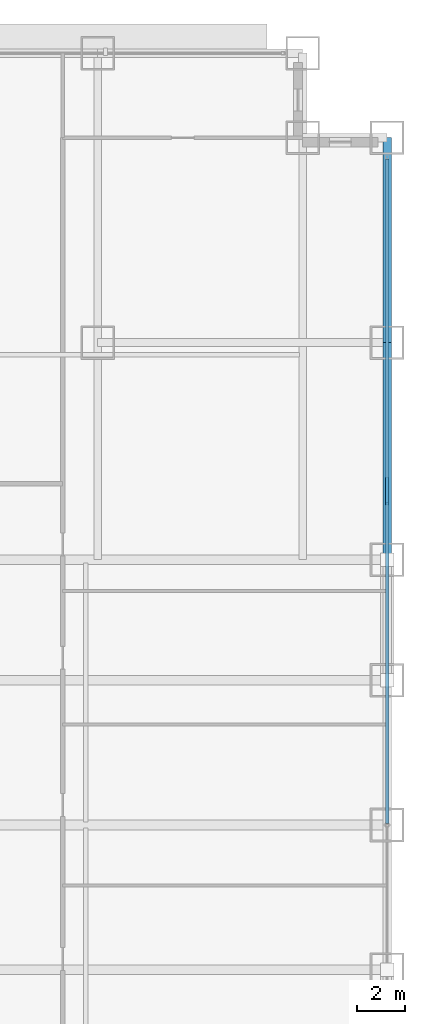
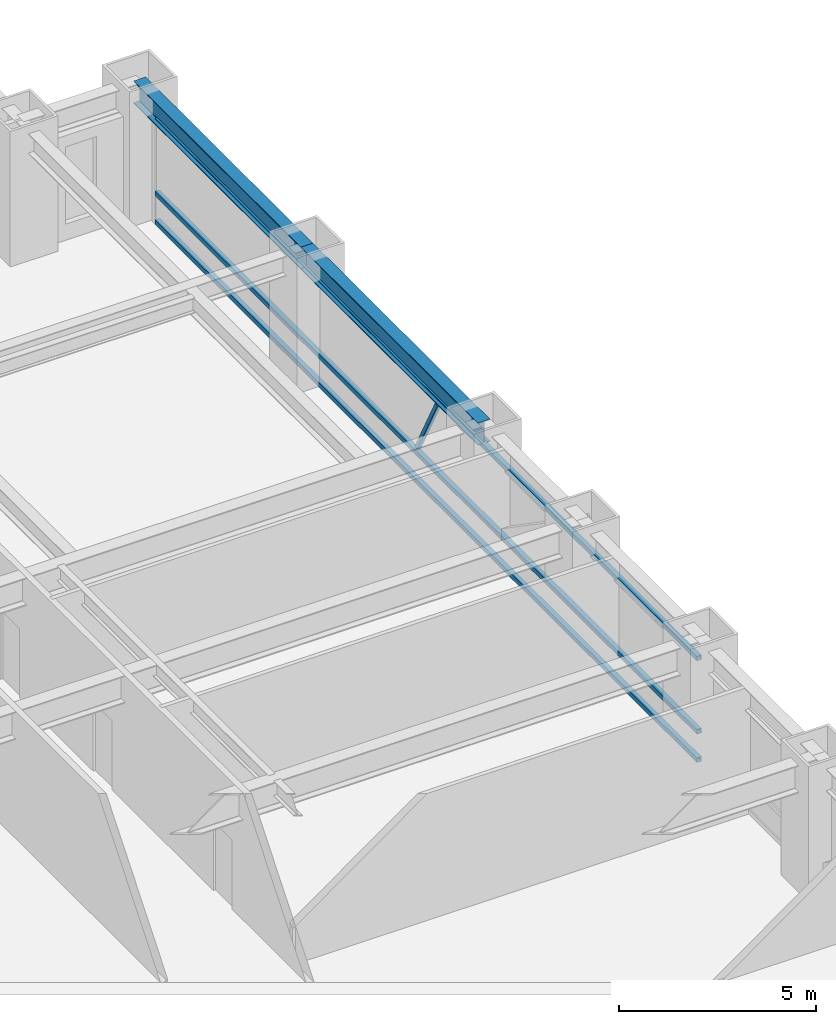
# One storey, part 15 of 32: 4 members, 2 beams, 1 element without a shape of its own.
"""IFC4 building model written with IfcOpenShell, lengths in metres."""

from ifc_helpers import new_model, si_unit, direction, frame, origin, origin_2d, place, context, subcontext, project, spatial, hollow_rectangle, i_section, extrude, source, transform, mapped, material, material_profile, profile_set, type_object, element, aggregate, save


model = new_model("IFC4")

# Units and contexts
model_context = context("Model", 3, precision=1e-05, world=origin(), true_north=direction((0.0, 1.0)))
body_context = subcontext(model_context, "Body", "Model", "MODEL_VIEW")
ifc_project = project(units=[si_unit("LENGTHUNIT", "METRE"), si_unit("AREAUNIT", "SQUARE_METRE"), si_unit("VOLUMEUNIT", "CUBIC_METRE"), si_unit("PLANEANGLEUNIT", "RADIAN"), si_unit("MASSUNIT", "GRAM", prefix="KILO")], contexts=[model_context])

# Site, building, storey
site_placement = place(None, origin())
site = spatial("IfcSite", under=ifc_project, at=site_placement, CompositionType="ELEMENT")
building_placement = place(site_placement, origin())
building = spatial("IfcBuilding", under=site, at=building_placement, Name="Khorayat Bourse Tower", CompositionType="ELEMENT")
storey_placement = place(building_placement, frame((0.0, 0.0, 78.800048828125)))
storey = spatial("IfcBuildingStorey", under=building, at=storey_placement, Name="L17", CompositionType="ELEMENT", Elevation=78.800048828125)

# Beams
ifc_material_1 = material(Name="Steel ASTM A992 Grade 50", Category="steel")
ifc_material_profile_1 = material_profile(ifc_material_1, i_section(OverallWidth=0.35498046875, OverallDepth=0.695068359375, WebThickness=0.015380859375, FlangeThickness=0.02490234375, FilletRadius=0.01806640625, at=origin_2d()), Name="W690X217")
ifc_profile_set_1 = profile_set([ifc_material_profile_1], Name="Steel ASTM A992 Grade 50")
beam_type = type_object("IfcBeamType", Name="BM-SPAN-690", PredefinedType="SPANDREL", material=ifc_profile_set_1)
shared_shape_1 = source(origin(), body_context, "Body", "SweptSolid", [
    extrude(i_section(OverallWidth=0.35498046875, OverallDepth=0.695068359375, WebThickness=0.015380859375, FlangeThickness=0.02490234375, FilletRadius=0.01806640625, at=origin_2d()), origin(), (0.0, 0.0, 1.0), 8.5),
])
beam_1_placement = place(storey_placement, frame((32.0, 20.0, 3.592529296875), z_axis=(0.0, 1.0, 0.0), x_axis=(-1.0, 0.0, 0.0)))
element("IfcBeam", 1, at=beam_1_placement, inside=storey, type_object=beam_type, Name="L17 BM-SPAN-690 BM-L17-SPN-041", PredefinedType="SPANDREL", context=body_context, shape_type="MappedRepresentation", body=[
    mapped(shared_shape_1, transform((0.0, 0.0, 0.0), scale=1.0)),
])
shared_shape_2 = source(origin(), body_context, "Body", "SweptSolid", [
    extrude(i_section(OverallWidth=0.35498046875, OverallDepth=0.695068359375, WebThickness=0.015380859375, FlangeThickness=0.02490234375, FilletRadius=0.01806640625, at=origin_2d()), origin(), (0.0, 0.0, 1.0), 9.0),
])
beam_2_placement = place(storey_placement, frame((32.0, 11.0, 3.592529296875), z_axis=(0.0, 1.0, 0.0), x_axis=(-1.0, 0.0, 0.0)))
element("IfcBeam", 2, at=beam_2_placement, inside=storey, type_object=beam_type, Name="L17 BM-SPAN-690 BM-L17-SPN-040", PredefinedType="SPANDREL", context=body_context, shape_type="MappedRepresentation", body=[
    mapped(shared_shape_2, transform((0.0, 0.0, 0.0), scale=1.0)),
])

# Curtain wall, members
ifc_material_2 = material(Name="Aluminium EN AW-6063 T6", Category="aluminium")
curtain_wall_type = type_object("IfcCurtainWallType", Name="CW-SYS-02", PredefinedType="NOTDEFINED", material=ifc_material_2)
curtain_wall_placement = place(storey_placement, origin())
curtain_wall = element("IfcCurtainWall", 3, at=curtain_wall_placement, inside=storey, type_object=curtain_wall_type, Name="L17 Curtain Wall CW-L17-E1", PredefinedType="NOTDEFINED")
ifc_material_profile_2 = material_profile(ifc_material_2, hollow_rectangle(XDim=0.1201171875, YDim=0.1201171875, WallThickness=0.0048828125, at=origin_2d()), Name="ALU 120x120x5")
ifc_profile_set_2 = profile_set([ifc_material_profile_2], Name="Aluminium EN AW-6063 T6")
member_type_1 = type_object("IfcMemberType", Name="CWM-DIAG-120", PredefinedType="MULLION", material=ifc_profile_set_2)
shared_shape_3 = source(origin(), body_context, "Body", "SweptSolid", [
    extrude(hollow_rectangle(XDim=0.1201171875, YDim=0.1201171875, WallThickness=0.0048828125, at=origin_2d()), origin(), (0.0, 0.0, 1.0), 2.226318359375),
])
member_1_placement = place(storey_placement, frame((32.0, 14.3583984375, 1.099853515625), z_axis=(0.0, -0.465714796031, 0.884934872608), x_axis=(1.0, 0.0, 0.0)))
member_1 = element("IfcMember", 4, at=member_1_placement, type_object=member_type_1, Name="CW-L17-E1 Faceted Diagonal Mullion 2", PredefinedType="MULLION", context=body_context, shape_type="MappedRepresentation", body=[
    mapped(shared_shape_3, transform((0.0, 0.0, 0.0), scale=1.0)),
])
ifc_material_profile_3 = material_profile(ifc_material_2, hollow_rectangle(XDim=0.139892578125, YDim=0.139892578125, WallThickness=0.006103515625, at=origin_2d()), Name="ALU 140x140x6")
ifc_profile_set_3 = profile_set([ifc_material_profile_3], Name="Aluminium EN AW-6063 T6")
member_type_2 = type_object("IfcMemberType", Name="CWT-HORZ-140", PredefinedType="USERDEFINED", material=ifc_profile_set_3)
shared_shape_4 = source(origin(), body_context, "Body", "SweptSolid", [
    extrude(hollow_rectangle(XDim=0.139892578125, YDim=0.139892578125, WallThickness=0.006103515625, at=origin_2d()), origin(), (0.0, 0.0, 1.0), 27.5400390625),
])
member_2_placement = place(storey_placement, frame((32.0, 0.070068359375, 0.070068359375), z_axis=(0.0, 1.0, 0.0), x_axis=(-1.0, 0.0, 0.0)))
member_2 = element("IfcMember", 5, at=member_2_placement, type_object=member_type_2, Name="CW-L17-E1 Horizontal Transom 2-1", ObjectType="TRANSOM", PredefinedType="USERDEFINED", context=body_context, shape_type="MappedRepresentation", body=[
    mapped(shared_shape_4, transform((0.0, 0.0, 0.0), scale=1.0)),
])
member_3_placement = place(storey_placement, frame((32.0, 0.070068359375, 0.949951171875), z_axis=(0.0, 1.0, 0.0), x_axis=(-1.0, 0.0, 0.0)))
member_3 = element("IfcMember", 6, at=member_3_placement, type_object=member_type_2, Name="CW-L17-E1 Horizontal Transom 2-2", ObjectType="TRANSOM", PredefinedType="USERDEFINED", context=body_context, shape_type="MappedRepresentation", body=[
    mapped(shared_shape_4, transform((0.0, 0.0, 0.0), scale=1.0)),
])
member_4_placement = place(storey_placement, frame((32.0, 0.070068359375, 3.219970703125), z_axis=(0.0, 1.0, 0.0), x_axis=(-1.0, 0.0, 0.0)))
member_4 = element("IfcMember", 7, at=member_4_placement, type_object=member_type_2, Name="CW-L17-E1 Horizontal Transom 2-3", ObjectType="TRANSOM", PredefinedType="USERDEFINED", context=body_context, shape_type="MappedRepresentation", body=[
    mapped(shared_shape_4, transform((0.0, 0.0, 0.0), scale=1.0)),
])
aggregate(curtain_wall, [member_2, member_3, member_4, member_1])

save(model, "model.ifc")
